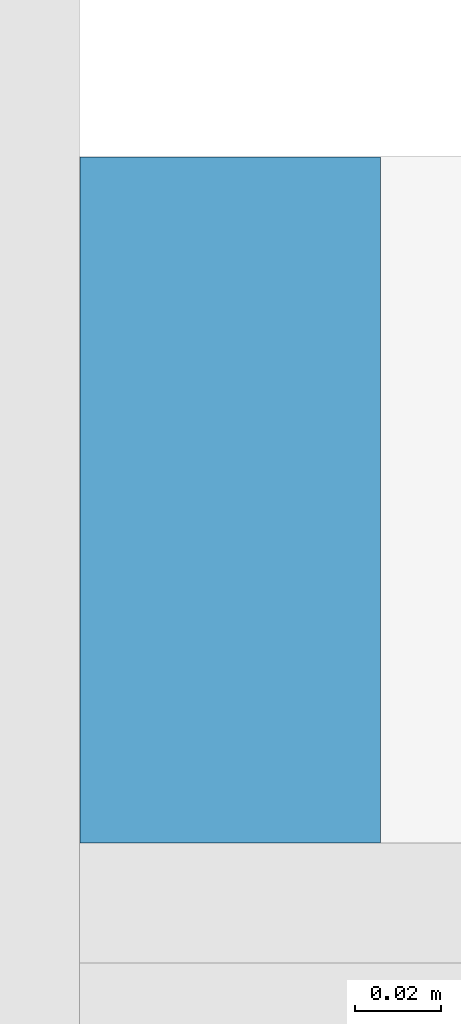
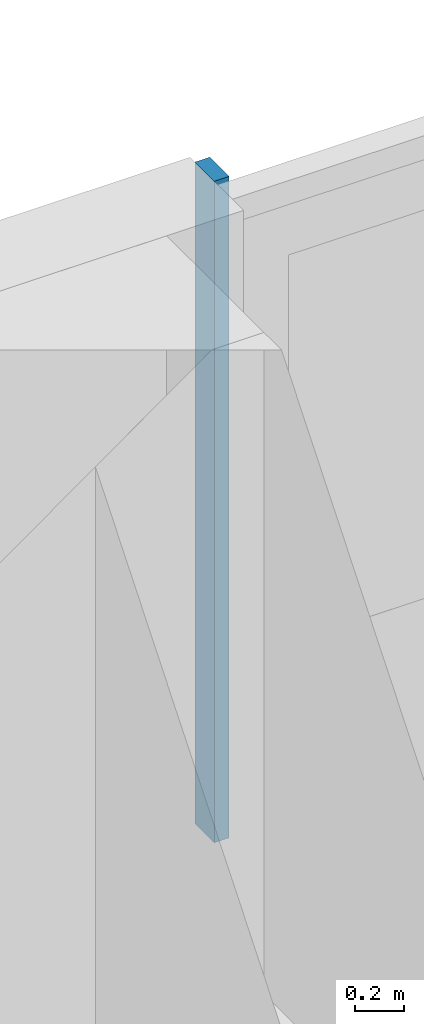
# One storey, part 10 of 28: 1 member, 1 element without a shape of its own.
"""IFC4 building model written with IfcOpenShell, lengths in metres."""

from ifc_helpers import new_model, si_unit, direction, frame, origin, origin_2d, place, context, subcontext, project, spatial, rectangle, extrude, material, material_profile, profile_set, type_object, element, aggregate, save


model = new_model("IFC4")

# Units and contexts
model_context = context("Model", 3, precision=1e-05, world=origin(), true_north=direction((0.0, 1.0)))
body_context = subcontext(model_context, "Body", "Model", "MODEL_VIEW")
ifc_project = project(units=[si_unit("LENGTHUNIT", "METRE"), si_unit("AREAUNIT", "SQUARE_METRE"), si_unit("VOLUMEUNIT", "CUBIC_METRE"), si_unit("PLANEANGLEUNIT", "RADIAN"), si_unit("MASSUNIT", "GRAM", prefix="KILO")], contexts=[model_context])

# Site, building, storey
site_placement = place(None, origin())
site = spatial("IfcSite", under=ifc_project, at=site_placement, CompositionType="ELEMENT")
building_placement = place(site_placement, origin())
building = spatial("IfcBuilding", under=site, at=building_placement, Name="Saffron Gate Tower", CompositionType="ELEMENT")
storey_placement = place(building_placement, frame((0.0, 0.0, 151.050048828125)))
storey = spatial("IfcBuildingStorey", under=building, at=storey_placement, Name="L36", CompositionType="ELEMENT", Elevation=151.050048828125)

# Curtain wall, member
ifc_material = material(Name="Aluminium, bronze anodised", Category="aluminium")
curtain_wall_type = type_object("IfcCurtainWallType", Name="CWS3 curtain wall rear facade", PredefinedType="NOTDEFINED", material=ifc_material)
curtain_wall_placement = place(storey_placement, origin())
curtain_wall = element("IfcCurtainWall", 1, at=curtain_wall_placement, inside=storey, type_object=curtain_wall_type, Name="CWS3 run 7", PredefinedType="NOTDEFINED")
ifc_material_profile = material_profile(ifc_material, rectangle(XDim=0.159912109375, YDim=0.070068359375, at=origin_2d()))
ifc_profile_set = profile_set([ifc_material_profile], Name="Aluminium, bronze anodised")
member_type = type_object("IfcMemberType", Name="CWS3 mullion 70x160", PredefinedType="MULLION", material=ifc_profile_set)
member_placement = place(storey_placement, frame((108.60009765625, 75.52001953125, 0.0), z_axis=(0.0, 0.0, 1.0), x_axis=(0.0, -1.0, 0.0)))
member = element("IfcMember", 2, at=member_placement, type_object=member_type, Name="CWS3 mullion 3", PredefinedType="MULLION", context=body_context, shape_type="SweptSolid", body=[
    extrude(rectangle(XDim=0.159912109375, YDim=0.070068359375, at=origin_2d()), origin(), (0.0, 0.0, 1.0), 3.320068359375),
])
aggregate(curtain_wall, [member])

save(model, "model.ifc")
